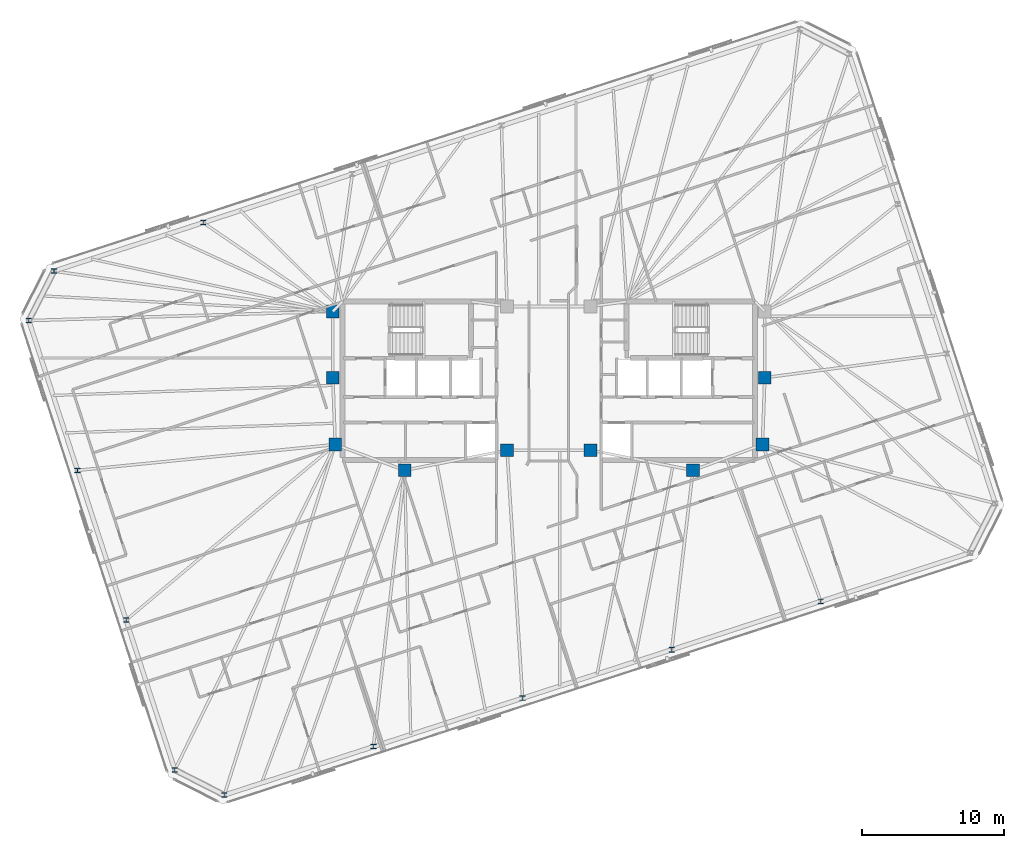
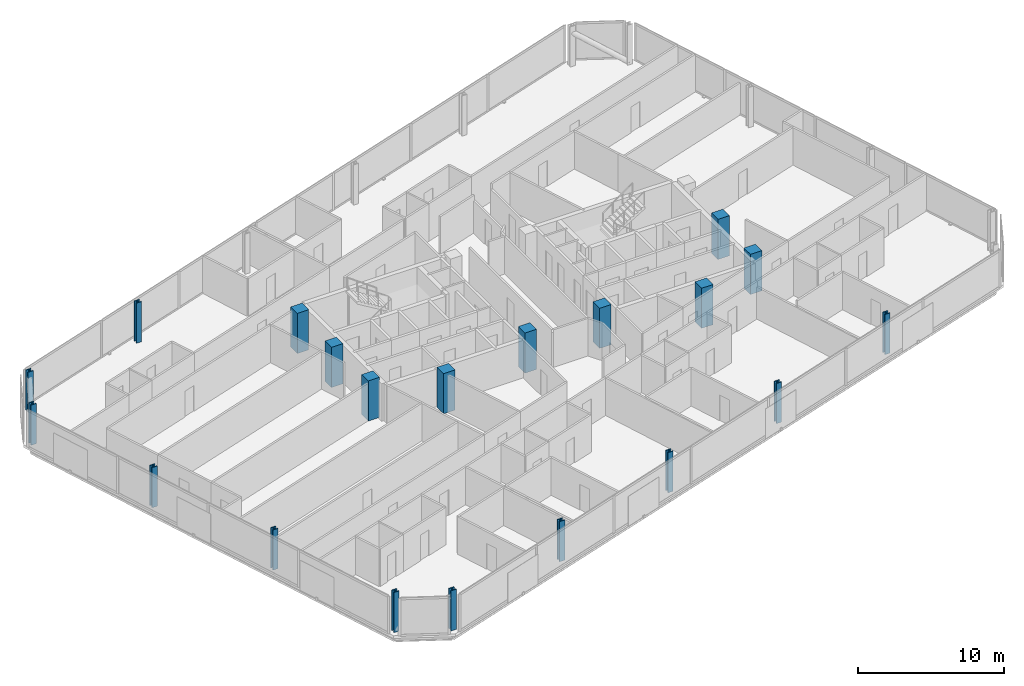
# One storey, part 1 of 19: 20 columns.
"""IFC4 building model written with IfcOpenShell, lengths in metres."""

from ifc_helpers import new_model, si_unit, direction, frame, origin, origin_2d, place, context, subcontext, project, spatial, rectangle, i_section, extrude, material, material_profile, profile_set, type_object, element, save


model = new_model("IFC4")

# Units and contexts
model_context = context("Model", 3, precision=1e-05, world=origin(), true_north=direction((0.0, 1.0)))
body_context = subcontext(model_context, "Body", "Model", "MODEL_VIEW")
ifc_project = project(units=[si_unit("LENGTHUNIT", "METRE"), si_unit("AREAUNIT", "SQUARE_METRE"), si_unit("VOLUMEUNIT", "CUBIC_METRE"), si_unit("PLANEANGLEUNIT", "RADIAN"), si_unit("MASSUNIT", "GRAM", prefix="KILO")], contexts=[model_context])

# Site, building, storey
site_placement = place(None, origin())
site = spatial("IfcSite", under=ifc_project, at=site_placement, CompositionType="ELEMENT")
building_placement = place(site_placement, origin())
building = spatial("IfcBuilding", under=site, at=building_placement, Name="Menara Jurai Vektor", CompositionType="ELEMENT")
storey_placement = place(building_placement, frame((0.0, 0.0, 220.949951171875)))
storey = spatial("IfcBuildingStorey", under=building, at=storey_placement, Name="L58", CompositionType="ELEMENT", Elevation=220.949951171875)

# Columns
ifc_material_1 = material(Name="Concrete C50/60", Category="concrete")
ifc_material_profile_1 = material_profile(ifc_material_1, rectangle(XDim=0.89990234375, YDim=0.89990234375, at=origin_2d()), Name="RC 900x900")
ifc_profile_set_1 = profile_set([ifc_material_profile_1], Name="Concrete C50/60")
column_type_1 = type_object("IfcColumnType", Name="STR-COL-RC900", PredefinedType="COLUMN", material=ifc_profile_set_1)
for number, where, z_axis, x_axis, name in (
    (1, (-15.25, 4.89990234375, 0.0), (0.0, 0.0, 1.0), (1.0, 0.0, 0.0), "Core Spine Column CW-NW L58"),
    (2, (-15.25, 0.219970703125, 0.0), (0.0, 0.0, 1.0), (1.0, 0.0, 0.0), "Core Spine Column CW-WM L58"),
    (3, (-15.080078125, -4.5, 0.0), (0.0, 0.0, 1.0), (1.0, 0.0, 0.0), "Core Spine Column CW-SW L58"),
    (4, (-10.179931640625, -6.320068359375, 0.0), (0.0, 0.0, 1.0), (1.0, 0.0, 0.0), "Core Spine Column CW-SM L58"),
    (5, (-2.949951171875, -4.89990234375, 0.0), (0.0, 0.0, 1.0), (1.0, 0.0, 0.0), "Core Spine Column CW-SE L58"),
    (6, (15.25, 0.219970703125, 0.0), (0.0, 0.0, 1.0), (1.0, 0.0, 0.0), "Core Spine Column CE-EM L58"),
    (7, (15.080078125, -4.5, 0.0), (0.0, 0.0, 1.0), (1.0, 0.0, 0.0), "Core Spine Column CE-SE L58"),
    (8, (10.179931640625, -6.320068359375, 0.0), (0.0, 0.0, 1.0), (1.0, 0.0, 0.0), "Core Spine Column CE-SM L58"),
    (9, (2.949951171875, -4.89990234375, 0.0), (0.0, 0.0, 1.0), (1.0, 0.0, 0.0), "Core Spine Column CE-SW L58"),
):
    element("IfcColumn", number, at=place(storey_placement, frame(where, z_axis=z_axis, x_axis=x_axis)), inside=storey, type_object=column_type_1, Name=name, PredefinedType="COLUMN", context=body_context, shape_type="SweptSolid", body=[
        extrude(rectangle(XDim=0.89990234375, YDim=0.89990234375, at=origin_2d()), origin(), (0.0, 0.0, 1.0), 3.35009765625),
    ])
ifc_material_2 = material(Name="Steel S460", Category="steel")
ifc_material_profile_2 = material_profile(ifc_material_2, i_section(OverallWidth=0.405029296875, OverallDepth=0.35498046875, WebThickness=0.0419921875, FlangeThickness=0.068115234375, FilletRadius=0.014892578125, at=origin_2d()), Name="HD 400x551")
ifc_profile_set_2 = profile_set([ifc_material_profile_2], Name="Steel S460")
column_type_2 = type_object("IfcColumnType", Name="STR-EXO-BLK4", PredefinedType="COLUMN", material=ifc_profile_set_2)
for number, where, z_axis, x_axis, name in (
    (10, (-22.912841796875, -29.2509765625, 0.0), (0.0, 0.0, 1.0), (1.0, 0.0, 0.0), "Exoskeleton Column BLK4-S1 L58"),
    (11, (-12.383544921875, -25.829833984375, 0.0), (0.0, 0.0, 1.0), (1.0, 0.0, 0.0), "Exoskeleton Column BLK4-S2 L58"),
    (12, (-1.854248046875, -22.40869140625, 0.0), (0.0, 0.0, 1.0), (1.0, 0.0, 0.0), "Exoskeleton Column BLK4-S3 L58"),
    (13, (8.675048828125, -18.987548828125, 0.0), (0.0, 0.0, 1.0), (1.0, 0.0, 0.0), "Exoskeleton Column BLK4-S4 L58"),
    (14, (19.204345703125, -15.56640625, 0.0), (0.0, 0.0, 1.0), (1.0, 0.0, 0.0), "Exoskeleton Column BLK4-S5 L58"),
    (15, (-24.404296875, 11.166259765625, 0.0), (0.0, 0.0, 1.0), (1.0, 0.0, 0.0), "Exoskeleton Column BLK4-N5 L58"),
    (16, (-34.93359375, 7.7451171875, 0.0), (0.0, 0.0, 1.0), (1.0, 0.0, 0.0), "Exoskeleton Column BLK4-N6 L58"),
    (17, (-36.71337890625, 4.251953125, 0.0), (0.0, 0.0, 1.0), (1.0, 0.0, 0.0), "Exoskeleton Column BLK4-W1 L58"),
    (18, (-33.277587890625, -6.322265625, 0.0), (0.0, 0.0, 1.0), (1.0, 0.0, 0.0), "Exoskeleton Column BLK4-W2 L58"),
    (19, (-29.841796875, -16.896728515625, 0.0), (0.0, 0.0, 1.0), (1.0, 0.0, 0.0), "Exoskeleton Column BLK4-W3 L58"),
    (20, (-26.406005859375, -27.47119140625, 0.0), (0.0, 0.0, 1.0), (1.0, 0.0, 0.0), "Exoskeleton Column BLK4-W4 L58"),
):
    element("IfcColumn", number, at=place(storey_placement, frame(where, z_axis=z_axis, x_axis=x_axis)), inside=storey, type_object=column_type_2, Name=name, PredefinedType="COLUMN", context=body_context, shape_type="SweptSolid", body=[
        extrude(i_section(OverallWidth=0.405029296875, OverallDepth=0.35498046875, WebThickness=0.0419921875, FlangeThickness=0.068115234375, FilletRadius=0.014892578125, at=origin_2d()), origin(), (0.0, 0.0, 1.0), 3.35009765625),
    ])

save(model, "model.ifc")
